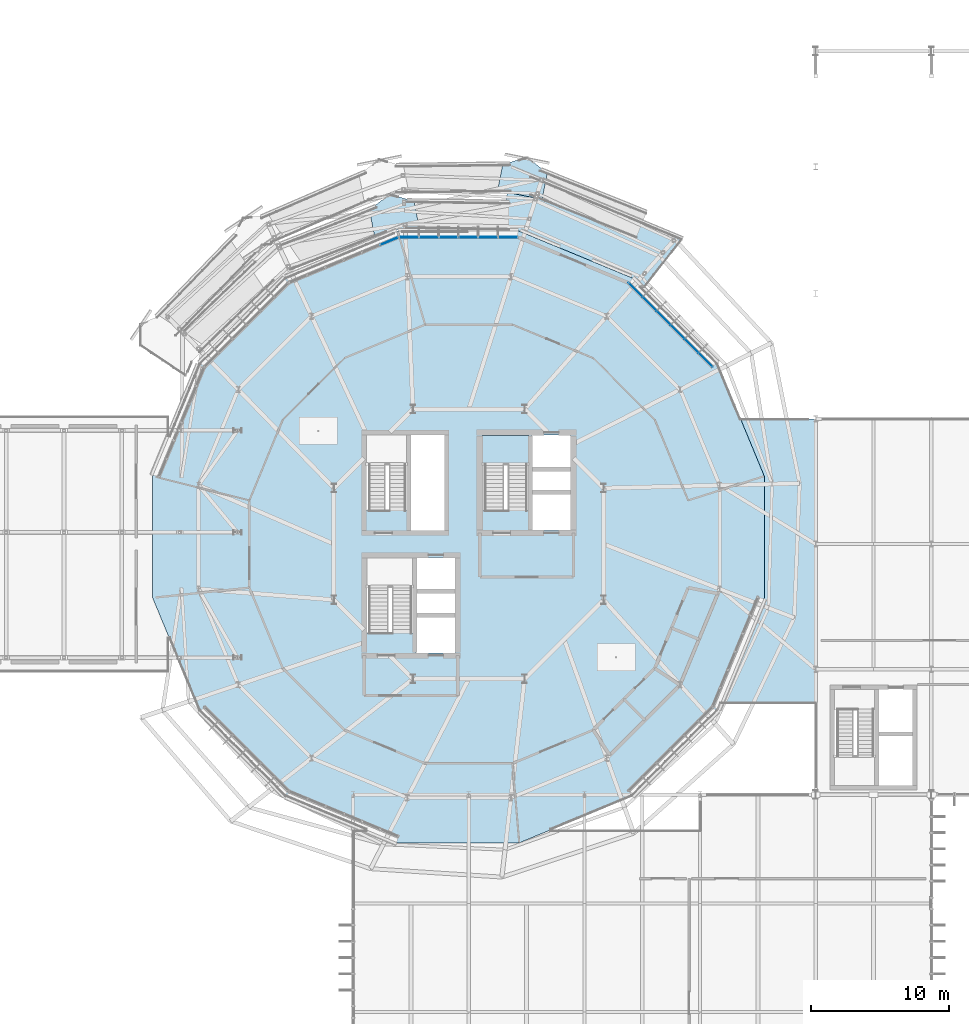
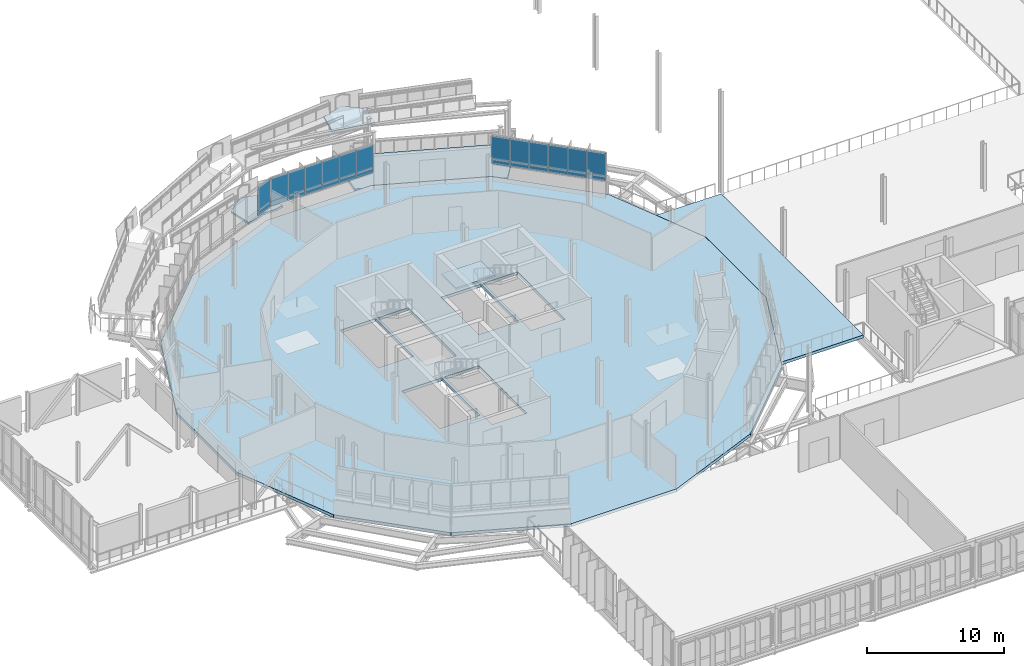
# One storey, part 78 of 107: 26 plates, 6 slabs, 5 elements without a shape of their own.
"""IFC4 building model written with IfcOpenShell, lengths in metres."""

from ifc_helpers import new_model, si_unit, derived_unit, direction, frame, origin, origin_2d, place, context, subcontext, project, spatial, polyline, rectangle, outline, extrude, material, layer, layer_set, type_object, element, aggregate, save


model = new_model("IFC4")

# Units and contexts
model_context = context("Model", 3, precision=1e-05, world=origin(), true_north=direction((0.0, 1.0)))
body_context = subcontext(model_context, "Body", "Model", "MODEL_VIEW")
ifc_project = project(units=[si_unit("LENGTHUNIT", "METRE"), si_unit("AREAUNIT", "SQUARE_METRE"), si_unit("VOLUMEUNIT", "CUBIC_METRE"), si_unit("PLANEANGLEUNIT", "RADIAN"), si_unit("MASSUNIT", "GRAM", prefix="KILO"), derived_unit("THERMALTRANSMITTANCEUNIT", [(si_unit("MASSUNIT", "GRAM", prefix="KILO"), 1), (si_unit("TIMEUNIT", "SECOND"), -3), (si_unit("THERMODYNAMICTEMPERATUREUNIT", "KELVIN"), -1)])], contexts=[model_context])

# Site, building, storey
site_placement = place(None, origin())
site = spatial("IfcSite", under=ifc_project, at=site_placement, CompositionType="ELEMENT")
building_placement = place(site_placement, origin())
building = spatial("IfcBuilding", under=site, at=building_placement, Name="Makaiwela Harbour Ferry Terminal", CompositionType="ELEMENT")
storey_placement = place(building_placement, frame((0.0, 0.0, 9.60009765625)))
storey = spatial("IfcBuildingStorey", under=building, at=storey_placement, Name="L02", CompositionType="ELEMENT", Elevation=9.60009765625)

# Curtain wall, plates
ifc_material_1 = material(Name="Marine anodised aluminium 6063-T6", Category="aluminium")
ifc_layer_1 = layer(ifc_material_1, 0.199951171875)
ifc_layer_set_1 = layer_set([ifc_layer_1], Name="Marine anodised aluminium 6063-T6")
curtain_wall_type = type_object("IfcCurtainWallType", Name="ENV-CW-04", PredefinedType="USERDEFINED", material=ifc_layer_set_1)
curtain_wall_1_placement = place(storey_placement, origin())
curtain_wall_1 = element("IfcCurtainWall", 1, at=curtain_wall_1_placement, inside=storey, type_object=curtain_wall_type, Name="Unitised Curtain Wall CWA-020", ObjectType="UNITIZED CURTAIN WALL", PredefinedType="USERDEFINED")
ifc_material_2 = material(Name="Laminated hurricane-impact low-E insulated glazing", Category="glass")
ifc_layer_2 = layer(ifc_material_2, 0.031982421875)
ifc_layer_set_2 = layer_set([ifc_layer_2], Name="Laminated hurricane-impact low-E insulated glazing")
plate_type_1 = type_object("IfcPlateType", Name="CW-PNL-G06", PredefinedType="CURTAIN_PANEL", material=ifc_layer_set_2)
plate_1_placement = place(storey_placement, frame((54.98046875, 80.9716796875, 1.89990234375), z_axis=(0.0, 0.0, 1.0), x_axis=(-0.707106781187, 0.707106781187, 0.0)))
plate_1 = element("IfcPlate", 2, at=plate_1_placement, type_object=plate_type_1, Name="Glazed Vision Panel CWA-020-1G", PredefinedType="CURTAIN_PANEL", context=body_context, shape_type="SweptSolid", body=[
    extrude(rectangle(XDim=1.43359375, YDim=0.031982421875, at=origin_2d()), origin(), (0.0, 0.0, 1.0), 2.06005859375),
])
plate_2_placement = place(storey_placement, frame((53.966796875, 81.985595703125, 1.89990234375), z_axis=(0.0, 0.0, 1.0), x_axis=(-0.707106781187, 0.707106781187, 0.0)))
plate_2 = element("IfcPlate", 3, at=plate_2_placement, type_object=plate_type_1, Name="Glazed Vision Panel CWA-020-2G", PredefinedType="CURTAIN_PANEL", context=body_context, shape_type="SweptSolid", body=[
    extrude(rectangle(XDim=1.43359375, YDim=0.031982421875, at=origin_2d()), origin(), (0.0, 0.0, 1.0), 2.06005859375),
])
plate_3_placement = place(storey_placement, frame((52.952880859375, 82.999267578125, 1.89990234375), z_axis=(0.0, 0.0, 1.0), x_axis=(-0.707106781187, 0.707106781187, 0.0)))
plate_3 = element("IfcPlate", 4, at=plate_3_placement, type_object=plate_type_1, Name="Glazed Vision Panel CWA-020-3G", PredefinedType="CURTAIN_PANEL", context=body_context, shape_type="SweptSolid", body=[
    extrude(rectangle(XDim=1.43359375, YDim=0.031982421875, at=origin_2d()), origin(), (0.0, 0.0, 1.0), 2.06005859375),
])
plate_4_placement = place(storey_placement, frame((51.939208984375, 84.012939453125, 1.89990234375), z_axis=(0.0, 0.0, 1.0), x_axis=(-0.707106781187, 0.707106781187, 0.0)))
plate_4 = element("IfcPlate", 5, at=plate_4_placement, type_object=plate_type_1, Name="Glazed Vision Panel CWA-020-4G", PredefinedType="CURTAIN_PANEL", context=body_context, shape_type="SweptSolid", body=[
    extrude(rectangle(XDim=1.43359375, YDim=0.031982421875, at=origin_2d()), origin(), (0.0, 0.0, 1.0), 2.06005859375),
])
plate_5_placement = place(storey_placement, frame((50.925537109375, 85.02685546875, 1.89990234375), z_axis=(0.0, 0.0, 1.0), x_axis=(-0.707106781187, 0.707106781187, 0.0)))
plate_5 = element("IfcPlate", 6, at=plate_5_placement, type_object=plate_type_1, Name="Glazed Vision Panel CWA-020-5G", PredefinedType="CURTAIN_PANEL", context=body_context, shape_type="SweptSolid", body=[
    extrude(rectangle(XDim=1.43359375, YDim=0.031982421875, at=origin_2d()), origin(), (0.0, 0.0, 1.0), 2.06005859375),
])
plate_6_placement = place(storey_placement, frame((49.911865234375, 86.04052734375, 1.89990234375), z_axis=(0.0, 0.0, 1.0), x_axis=(-0.707106781187, 0.707106781187, 0.0)))
plate_6 = element("IfcPlate", 7, at=plate_6_placement, type_object=plate_type_1, Name="Glazed Vision Panel CWA-020-6G", PredefinedType="CURTAIN_PANEL", context=body_context, shape_type="SweptSolid", body=[
    extrude(rectangle(XDim=1.43359375, YDim=0.031982421875, at=origin_2d()), origin(), (0.0, 0.0, 1.0), 2.06005859375),
])

curtain_wall_2_placement = place(storey_placement, origin())
curtain_wall_2 = element("IfcCurtainWall", 8, at=curtain_wall_2_placement, inside=storey, type_object=curtain_wall_type, Name="Unitised Curtain Wall CWA-021", ObjectType="UNITIZED CURTAIN WALL", PredefinedType="USERDEFINED")
plate_7_placement = place(storey_placement, frame((40.63427734375, 89.88330078125, 1.89990234375), z_axis=(0.0, 0.0, 1.0), x_axis=(-1.0, 0.0, 0.0)))
plate_7 = element("IfcPlate", 9, at=plate_7_placement, type_object=plate_type_1, Name="Glazed Vision Panel CWA-021-1G", PredefinedType="CURTAIN_PANEL", context=body_context, shape_type="SweptSolid", body=[
    extrude(rectangle(XDim=1.43359375, YDim=0.031982421875, at=origin_2d()), origin(), (0.0, 0.0, 1.0), 2.06005859375),
])
plate_8_placement = place(storey_placement, frame((39.200439453125, 89.88330078125, 1.89990234375), z_axis=(0.0, 0.0, 1.0), x_axis=(-1.0, 0.0, 0.0)))
plate_8 = element("IfcPlate", 10, at=plate_8_placement, type_object=plate_type_1, Name="Glazed Vision Panel CWA-021-2G", PredefinedType="CURTAIN_PANEL", context=body_context, shape_type="SweptSolid", body=[
    extrude(rectangle(XDim=1.43359375, YDim=0.031982421875, at=origin_2d()), origin(), (0.0, 0.0, 1.0), 2.06005859375),
])
plate_9_placement = place(storey_placement, frame((37.766845703125, 89.88330078125, 1.89990234375), z_axis=(0.0, 0.0, 1.0), x_axis=(-1.0, 0.0, 0.0)))
plate_9 = element("IfcPlate", 11, at=plate_9_placement, type_object=plate_type_1, Name="Glazed Vision Panel CWA-021-3G", PredefinedType="CURTAIN_PANEL", context=body_context, shape_type="SweptSolid", body=[
    extrude(rectangle(XDim=1.43359375, YDim=0.031982421875, at=origin_2d()), origin(), (0.0, 0.0, 1.0), 2.06005859375),
])
plate_10_placement = place(storey_placement, frame((36.333251953125, 89.88330078125, 1.89990234375), z_axis=(0.0, 0.0, 1.0), x_axis=(-1.0, 0.0, 0.0)))
plate_10 = element("IfcPlate", 12, at=plate_10_placement, type_object=plate_type_1, Name="Glazed Vision Panel CWA-021-4G", PredefinedType="CURTAIN_PANEL", context=body_context, shape_type="SweptSolid", body=[
    extrude(rectangle(XDim=1.43359375, YDim=0.031982421875, at=origin_2d()), origin(), (0.0, 0.0, 1.0), 2.06005859375),
])
plate_11_placement = place(storey_placement, frame((34.8994140625, 89.88330078125, 1.89990234375), z_axis=(0.0, 0.0, 1.0), x_axis=(-1.0, 0.0, 0.0)))
plate_11 = element("IfcPlate", 13, at=plate_11_placement, type_object=plate_type_1, Name="Glazed Vision Panel CWA-021-5G", PredefinedType="CURTAIN_PANEL", context=body_context, shape_type="SweptSolid", body=[
    extrude(rectangle(XDim=1.43359375, YDim=0.031982421875, at=origin_2d()), origin(), (0.0, 0.0, 1.0), 2.06005859375),
])
plate_12_placement = place(storey_placement, frame((33.4658203125, 89.88330078125, 1.89990234375), z_axis=(0.0, 0.0, 1.0), x_axis=(-1.0, 0.0, 0.0)))
plate_12 = element("IfcPlate", 14, at=plate_12_placement, type_object=plate_type_1, Name="Glazed Vision Panel CWA-021-6G", PredefinedType="CURTAIN_PANEL", context=body_context, shape_type="SweptSolid", body=[
    extrude(rectangle(XDim=1.43359375, YDim=0.031982421875, at=origin_2d()), origin(), (0.0, 0.0, 1.0), 2.06005859375),
])

# Curtain wall, plate
curtain_wall_3_placement = place(storey_placement, origin())
curtain_wall_3 = element("IfcCurtainWall", 15, at=curtain_wall_3_placement, inside=storey, type_object=curtain_wall_type, Name="Unitised Curtain Wall CWA-022", ObjectType="UNITIZED CURTAIN WALL", PredefinedType="USERDEFINED")
plate_13_placement = place(storey_placement, frame((32.029052734375, 89.59765625, 1.89990234375), z_axis=(0.0, 0.0, 1.0), x_axis=(-0.923879532511, -0.382683432365, 0.0)))
plate_13 = element("IfcPlate", 16, at=plate_13_placement, type_object=plate_type_1, Name="Glazed Vision Panel CWA-022-1G", PredefinedType="CURTAIN_PANEL", context=body_context, shape_type="SweptSolid", body=[
    extrude(rectangle(XDim=1.43359375, YDim=0.031982421875, at=origin_2d()), origin(), (0.0, 0.0, 1.0), 2.06005859375),
])

# Plate
ifc_material_3 = material(Name="Insulated marine aluminium spandrel panel", Category="aluminium")
ifc_layer_3 = layer(ifc_material_3, 0.048095703125)
ifc_layer_set_3 = layer_set([ifc_layer_3], Name="Insulated marine aluminium spandrel panel")
plate_type_2 = type_object("IfcPlateType", Name="CW-PNL-S04", PredefinedType="CURTAIN_PANEL", material=ifc_layer_set_3)
plate_14_placement = place(storey_placement, frame((54.98046875, 80.9716796875, 1.47998046875), z_axis=(0.0, 0.0, 1.0), x_axis=(-0.707106781187, 0.707106781187, 0.0)))
plate_14 = element("IfcPlate", 17, at=plate_14_placement, type_object=plate_type_2, Name="Spandrel Panel CWA-020-1S", PredefinedType="CURTAIN_PANEL", context=body_context, shape_type="SweptSolid", body=[
    extrude(rectangle(XDim=1.43359375, YDim=0.048095703125, at=origin_2d()), origin(), (0.0, 0.0, 1.0), 0.419921875),
])

plate_15_placement = place(storey_placement, frame((53.966796875, 81.985595703125, 1.47998046875), z_axis=(0.0, 0.0, 1.0), x_axis=(-0.707106781187, 0.707106781187, 0.0)))
plate_15 = element("IfcPlate", 18, at=plate_15_placement, type_object=plate_type_2, Name="Spandrel Panel CWA-020-2S", PredefinedType="CURTAIN_PANEL", context=body_context, shape_type="SweptSolid", body=[
    extrude(rectangle(XDim=1.43359375, YDim=0.048095703125, at=origin_2d()), origin(), (0.0, 0.0, 1.0), 0.419921875),
])

plate_16_placement = place(storey_placement, frame((52.952880859375, 82.999267578125, 1.47998046875), z_axis=(0.0, 0.0, 1.0), x_axis=(-0.707106781187, 0.707106781187, 0.0)))
plate_16 = element("IfcPlate", 19, at=plate_16_placement, type_object=plate_type_2, Name="Spandrel Panel CWA-020-3S", PredefinedType="CURTAIN_PANEL", context=body_context, shape_type="SweptSolid", body=[
    extrude(rectangle(XDim=1.43359375, YDim=0.048095703125, at=origin_2d()), origin(), (0.0, 0.0, 1.0), 0.419921875),
])

plate_17_placement = place(storey_placement, frame((51.939208984375, 84.012939453125, 1.47998046875), z_axis=(0.0, 0.0, 1.0), x_axis=(-0.707106781187, 0.707106781187, 0.0)))
plate_17 = element("IfcPlate", 20, at=plate_17_placement, type_object=plate_type_2, Name="Spandrel Panel CWA-020-4S", PredefinedType="CURTAIN_PANEL", context=body_context, shape_type="SweptSolid", body=[
    extrude(rectangle(XDim=1.43359375, YDim=0.048095703125, at=origin_2d()), origin(), (0.0, 0.0, 1.0), 0.419921875),
])

plate_18_placement = place(storey_placement, frame((50.925537109375, 85.02685546875, 1.47998046875), z_axis=(0.0, 0.0, 1.0), x_axis=(-0.707106781187, 0.707106781187, 0.0)))
plate_18 = element("IfcPlate", 21, at=plate_18_placement, type_object=plate_type_2, Name="Spandrel Panel CWA-020-5S", PredefinedType="CURTAIN_PANEL", context=body_context, shape_type="SweptSolid", body=[
    extrude(rectangle(XDim=1.43359375, YDim=0.048095703125, at=origin_2d()), origin(), (0.0, 0.0, 1.0), 0.419921875),
])

plate_19_placement = place(storey_placement, frame((49.911865234375, 86.04052734375, 1.47998046875), z_axis=(0.0, 0.0, 1.0), x_axis=(-0.707106781187, 0.707106781187, 0.0)))
plate_19 = element("IfcPlate", 22, at=plate_19_placement, type_object=plate_type_2, Name="Spandrel Panel CWA-020-6S", PredefinedType="CURTAIN_PANEL", context=body_context, shape_type="SweptSolid", body=[
    extrude(rectangle(XDim=1.43359375, YDim=0.048095703125, at=origin_2d()), origin(), (0.0, 0.0, 1.0), 0.419921875),
])

aggregate(curtain_wall_1, [plate_14, plate_1, plate_15, plate_2, plate_16, plate_3, plate_17, plate_4, plate_18, plate_5, plate_19, plate_6])

plate_20_placement = place(storey_placement, frame((40.63427734375, 89.88330078125, 1.47998046875), z_axis=(0.0, 0.0, 1.0), x_axis=(-1.0, 0.0, 0.0)))
plate_20 = element("IfcPlate", 23, at=plate_20_placement, type_object=plate_type_2, Name="Spandrel Panel CWA-021-1S", PredefinedType="CURTAIN_PANEL", context=body_context, shape_type="SweptSolid", body=[
    extrude(rectangle(XDim=1.43359375, YDim=0.048095703125, at=origin_2d()), origin(), (0.0, 0.0, 1.0), 0.419921875),
])

plate_21_placement = place(storey_placement, frame((39.200439453125, 89.88330078125, 1.47998046875), z_axis=(0.0, 0.0, 1.0), x_axis=(-1.0, 0.0, 0.0)))
plate_21 = element("IfcPlate", 24, at=plate_21_placement, type_object=plate_type_2, Name="Spandrel Panel CWA-021-2S", PredefinedType="CURTAIN_PANEL", context=body_context, shape_type="SweptSolid", body=[
    extrude(rectangle(XDim=1.43359375, YDim=0.048095703125, at=origin_2d()), origin(), (0.0, 0.0, 1.0), 0.419921875),
])

plate_22_placement = place(storey_placement, frame((37.766845703125, 89.88330078125, 1.47998046875), z_axis=(0.0, 0.0, 1.0), x_axis=(-1.0, 0.0, 0.0)))
plate_22 = element("IfcPlate", 25, at=plate_22_placement, type_object=plate_type_2, Name="Spandrel Panel CWA-021-3S", PredefinedType="CURTAIN_PANEL", context=body_context, shape_type="SweptSolid", body=[
    extrude(rectangle(XDim=1.43359375, YDim=0.048095703125, at=origin_2d()), origin(), (0.0, 0.0, 1.0), 0.419921875),
])

plate_23_placement = place(storey_placement, frame((36.333251953125, 89.88330078125, 1.47998046875), z_axis=(0.0, 0.0, 1.0), x_axis=(-1.0, 0.0, 0.0)))
plate_23 = element("IfcPlate", 26, at=plate_23_placement, type_object=plate_type_2, Name="Spandrel Panel CWA-021-4S", PredefinedType="CURTAIN_PANEL", context=body_context, shape_type="SweptSolid", body=[
    extrude(rectangle(XDim=1.43359375, YDim=0.048095703125, at=origin_2d()), origin(), (0.0, 0.0, 1.0), 0.419921875),
])

plate_24_placement = place(storey_placement, frame((34.8994140625, 89.88330078125, 1.47998046875), z_axis=(0.0, 0.0, 1.0), x_axis=(-1.0, 0.0, 0.0)))
plate_24 = element("IfcPlate", 27, at=plate_24_placement, type_object=plate_type_2, Name="Spandrel Panel CWA-021-5S", PredefinedType="CURTAIN_PANEL", context=body_context, shape_type="SweptSolid", body=[
    extrude(rectangle(XDim=1.43359375, YDim=0.048095703125, at=origin_2d()), origin(), (0.0, 0.0, 1.0), 0.419921875),
])

plate_25_placement = place(storey_placement, frame((33.4658203125, 89.88330078125, 1.47998046875), z_axis=(0.0, 0.0, 1.0), x_axis=(-1.0, 0.0, 0.0)))
plate_25 = element("IfcPlate", 28, at=plate_25_placement, type_object=plate_type_2, Name="Spandrel Panel CWA-021-6S", PredefinedType="CURTAIN_PANEL", context=body_context, shape_type="SweptSolid", body=[
    extrude(rectangle(XDim=1.43359375, YDim=0.048095703125, at=origin_2d()), origin(), (0.0, 0.0, 1.0), 0.419921875),
])

aggregate(curtain_wall_2, [plate_20, plate_7, plate_21, plate_8, plate_22, plate_9, plate_23, plate_10, plate_24, plate_11, plate_25, plate_12])

plate_26_placement = place(storey_placement, frame((32.029052734375, 89.59765625, 1.47998046875), z_axis=(0.0, 0.0, 1.0), x_axis=(-0.923879532511, -0.382683432365, 0.0)))
plate_26 = element("IfcPlate", 29, at=plate_26_placement, type_object=plate_type_2, Name="Spandrel Panel CWA-022-1S", PredefinedType="CURTAIN_PANEL", context=body_context, shape_type="SweptSolid", body=[
    extrude(rectangle(XDim=1.43359375, YDim=0.048095703125, at=origin_2d()), origin(), (0.0, 0.0, 1.0), 0.419921875),
])

aggregate(curtain_wall_3, [plate_26, plate_13])

# Slabs
ifc_material_4 = material(Name="Concrete f'c 35 MPa (5000 psi)", Category="concrete")
ifc_layer_4 = layer(ifc_material_4, 0.260009765625)
ifc_layer_set_4 = layer_set([ifc_layer_4], Name="Concrete f'c 35 MPa (5000 psi)")
slab_type_1 = type_object("IfcSlabType", Name="SLB-FLR-260", PredefinedType="FLOOR", material=ifc_layer_set_4)
slab_1_placement = place(storey_placement, frame((0.0, 0.0, -0.260009765625)))
element("IfcSlab", 30, at=slab_1_placement, inside=storey, type_object=slab_type_1, Name="Slab SLB-026", PredefinedType="FLOOR", context=body_context, shape_type="SweptSolid", body=[
    extrude(outline(polyline([(59.264892578125, 72.52880859375), (55.8828125, 80.693603515625), (49.6337890625, 86.94287109375), (41.46875, 90.32470703125), (32.631103515625, 90.32470703125), (24.46630859375, 86.94287109375), (18.21728515625, 80.693603515625), (14.835205078125, 72.52880859375), (14.835205078125, 63.691162109375), (18.21728515625, 55.5263671875), (24.46630859375, 49.277099609375), (32.631103515625, 45.895263671875), (41.46875, 45.895263671875), (49.6337890625, 49.277099609375), (55.8828125, 55.5263671875), (59.264892578125, 63.691162109375), (59.264892578125, 72.52880859375)]), holes=[polyline([(38.794921875, 70.0400390625), (38.794921875, 75.5048828125), (42.14208984375, 75.5048828125), (42.14208984375, 70.0400390625), (38.794921875, 70.0400390625)]), polyline([(42.35205078125, 68.594970703125), (42.35205078125, 75.5048828125), (45.205078125, 75.5048828125), (45.205078125, 68.594970703125), (42.35205078125, 68.594970703125)]), polyline([(30.3701171875, 61.139892578125), (30.3701171875, 66.6298828125), (33.741943359375, 66.6298828125), (33.741943359375, 61.139892578125), (30.3701171875, 61.139892578125)]), polyline([(33.951904296875, 59.669921875), (33.951904296875, 66.6298828125), (36.830078125, 66.6298828125), (36.830078125, 59.669921875), (33.951904296875, 59.669921875)]), polyline([(30.35009765625, 70.0400390625), (30.35009765625, 75.550048828125), (33.31005859375, 75.550048828125), (33.31005859375, 70.0400390625), (30.35009765625, 70.0400390625)]), polyline([(33.52001953125, 68.550048828125), (33.52001953125, 75.550048828125), (36.050048828125, 75.550048828125), (36.050048828125, 68.550048828125), (33.52001953125, 68.550048828125)])]), origin(), (0.0, 0.0, 1.0), 0.260009765625),
])
slab_2_placement = place(storey_placement, frame((0.0, 0.0, -0.260009765625)))
element("IfcSlab", 31, at=slab_2_placement, inside=storey, type_object=slab_type_1, Name="Slab SLB-027", PredefinedType="FLOOR", context=body_context, shape_type="SweptSolid", body=[
    extrude(outline(polyline([(57.539306640625, 76.699951171875), (59.266845703125, 72.52880859375), (59.2666015625, 63.6904296875), (56.081298828125, 56.0), (63.0, 56.0), (63.0, 76.699951171875), (57.539306640625, 76.699951171875)])), origin(), (0.0, 0.0, 1.0), 0.260009765625),
])

# Stair, slab
stair_type = type_object("IfcStairType", Name="CIR-STR-A03", PredefinedType="HALF_TURN_STAIR", material=ifc_material_4)
stair_placement = place(storey_placement, origin())
stair = element("IfcStair", 32, at=stair_placement, inside=storey, type_object=stair_type, Name="Stair ST-01-L02", PredefinedType="HALF_TURN_STAIR")
ifc_layer_5 = layer(ifc_material_4, 0.14990234375)
ifc_layer_set_5 = layer_set([ifc_layer_5], Name="Concrete f'c 35 MPa (5000 psi)")
slab_type_2 = type_object("IfcSlabType", Name="SLB-LND-150", PredefinedType="LANDING", material=ifc_layer_set_5)
slab_3_placement = place(storey_placement, frame((0.0, 0.0, 1.949951171875)))
slab_3 = element("IfcSlab", 33, at=slab_3_placement, type_object=slab_type_2, Name="Stair Half Landing LND-03", PredefinedType="LANDING", context=body_context, shape_type="SweptSolid", body=[
    extrude(outline(polyline([(38.81005859375, 73.3701171875), (42.126953125, 73.3701171875), (42.126953125, 75.489990234375), (38.81005859375, 75.489990234375), (38.81005859375, 73.3701171875)])), origin(), (0.0, 0.0, 1.0), 0.14990234375),
])
aggregate(stair, [slab_3])

# Ramp, slabs
ramp_type = type_object("IfcRampType", Name="CIR-RMP-ASSY", PredefinedType="STRAIGHT_RUN_RAMP", material=ifc_material_4)
ramp_placement = place(storey_placement, origin())
ramp = element("IfcRamp", 34, at=ramp_placement, inside=storey, type_object=ramp_type, Name="External Coiled Promenade Ramp L02 to L03", PredefinedType="STRAIGHT_RUN_RAMP")
ifc_layer_6 = layer(ifc_material_4, 0.169921875)
ifc_layer_set_6 = layer_set([ifc_layer_6], Name="Concrete f'c 35 MPa (5000 psi)")
slab_type_3 = type_object("IfcSlabType", Name="SLB-LND-170", PredefinedType="LANDING", material=ifc_layer_set_6)
slab_4_placement = place(storey_placement, frame((0.0, 0.0, 0.429931640625)))
slab_4 = element("IfcSlab", 35, at=slab_4_placement, type_object=slab_type_3, Name="Promenade Ramp Landing RMP-COIL-L02-LI1", PredefinedType="LANDING", context=body_context, shape_type="SweptSolid", body=[
    extrude(outline(polyline([(31.633056640625, 90.081298828125), (32.542236328125, 90.457763671875), (32.54248046875, 90.4580078125), (32.542724609375, 90.4580078125), (32.54296875, 90.4580078125), (32.543212890625, 90.4580078125), (33.52734375, 90.4580078125), (34.198486328125, 90.591552734375), (33.81982421875, 92.494384765625), (32.031982421875, 93.025634765625), (30.583251953125, 91.8505859375), (30.9619140625, 89.94775390625), (31.633056640625, 90.081298828125)])), origin(), (0.0, 0.0, 1.0), 0.169921875),
])
slab_5_placement = place(storey_placement, frame((0.0, 0.0, 3.429931640625)))
slab_5 = element("IfcSlab", 36, at=slab_5_placement, type_object=slab_type_3, Name="Promenade Ramp Landing RMP-COIL-L02-LO3", PredefinedType="LANDING", context=body_context, shape_type="SweptSolid", body=[
    extrude(outline(polyline([(43.12548828125, 92.634033203125), (43.502197265625, 94.52685546875), (42.0537109375, 95.7021484375), (40.265625, 95.170654296875), (39.888916015625, 93.27783203125), (43.12548828125, 92.634033203125)])), origin(), (0.0, 0.0, 1.0), 0.169921875),
])
aggregate(ramp, [slab_4, slab_5])

# Slab
ifc_layer_7 = layer(ifc_material_4, 0.25)
ifc_layer_set_7 = layer_set([ifc_layer_7], Name="Concrete f'c 35 MPa (5000 psi)")
slab_type_4 = type_object("IfcSlabType", Name="SLB-TER-250", PredefinedType="FLOOR", material=ifc_layer_set_7)
slab_6_placement = place(storey_placement, frame((0.0, 0.0, -0.25)))
element("IfcSlab", 37, at=slab_6_placement, inside=storey, type_object=slab_type_4, Name="Promenade Ramp Balcony Terrace RTER-L02", PredefinedType="FLOOR", context=body_context, shape_type="SweptSolid", body=[
    extrude(outline(polyline([(40.748291015625, 90.326904296875), (41.46875, 90.326904296875), (41.468994140625, 90.326904296875), (41.46923828125, 90.326904296875), (41.469482421875, 90.32666015625), (41.469482421875, 90.32666015625), (49.634521484375, 86.944580078125), (49.634521484375, 86.944580078125), (49.634765625, 86.944580078125), (49.635009765625, 86.9443359375), (49.635009765625, 86.944091796875), (50.218505859375, 86.36083984375), (50.55712890625, 86.218994140625), (53.322265625, 89.743408203125), (40.8408203125, 94.913330078125), (40.22314453125, 90.546630859375), (40.748291015625, 90.326904296875)])), origin(), (0.0, 0.0, 1.0), 0.25),
])

save(model, "model.ifc")
